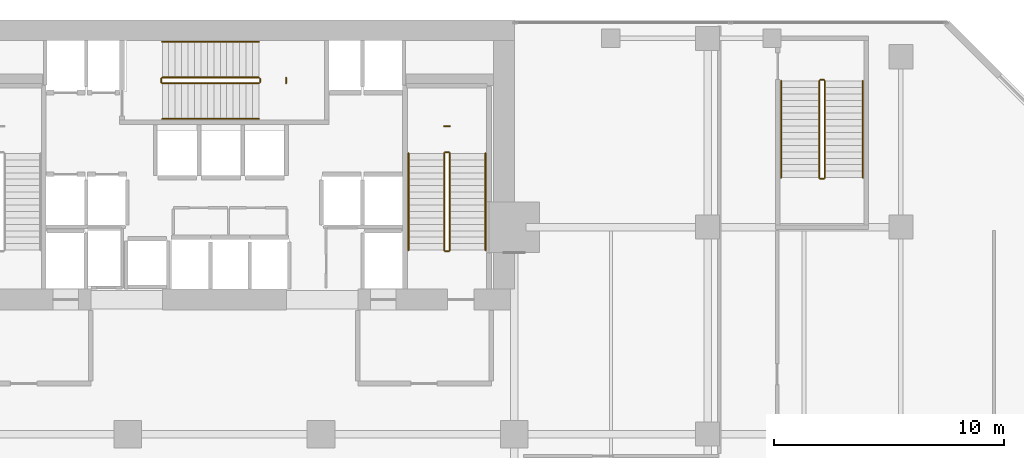
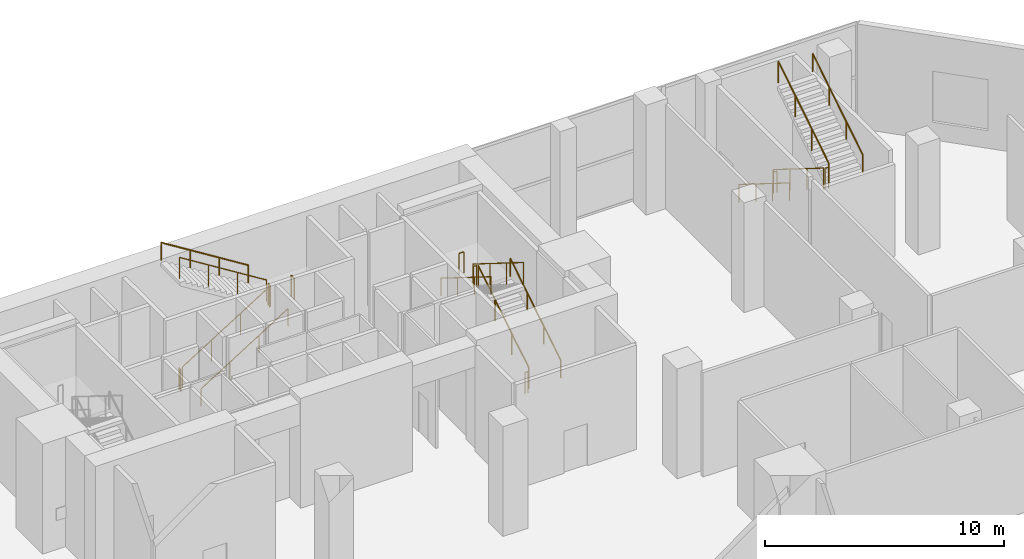
# One storey, part 40 of 40: 20 railings.
"""IFC4 building model written with IfcOpenShell, lengths in metres."""

from ifc_helpers import new_model, si_unit, direction, frame, origin, origin_2d, place, context, subcontext, project, spatial, circle, extrude, material, type_object, element, save


model = new_model("IFC4")

# Units and contexts
model_context = context("Model", 3, precision=1e-05, world=origin(), true_north=direction((0.0, 1.0)))
body_context = subcontext(model_context, "Body", "Model", "MODEL_VIEW")
ifc_project = project(units=[si_unit("LENGTHUNIT", "METRE"), si_unit("AREAUNIT", "SQUARE_METRE"), si_unit("VOLUMEUNIT", "CUBIC_METRE"), si_unit("PLANEANGLEUNIT", "RADIAN"), si_unit("MASSUNIT", "GRAM", prefix="KILO")], contexts=[model_context])

# Site, building, storey
site_placement = place(None, origin())
site = spatial("IfcSite", under=ifc_project, at=site_placement, CompositionType="ELEMENT")
building_placement = place(site_placement, origin())
building = spatial("IfcBuilding", under=site, at=building_placement, Name="Maruvema Waterfront Hotel and Observation Tower", CompositionType="ELEMENT")
storey_placement = place(building_placement, frame((0.0, 0.0, 10.85009765625)))
storey = spatial("IfcBuildingStorey", under=building, at=storey_placement, Name="L02", CompositionType="ELEMENT", Elevation=10.85009765625)

# Railings
ifc_material_1 = material(Name="Brushed stainless steel Grade 316", Category="steel")
railing_type_1 = type_object("IfcRailingType", Name="Ramp Continuous Wall Handrail 920 mm", PredefinedType="HANDRAIL", material=ifc_material_1)
railing_1_placement = place(storey_placement, frame((35.10009765625, 49.699951171875, 0.1748046875)))
element("IfcRailing", 1, at=railing_1_placement, inside=storey, type_object=railing_type_1, Name="L02 ST-02 stair handrail 1", PredefinedType="HANDRAIL", context=body_context, shape_type="SweptSolid", body=[
    extrude(circle(Radius=0.02392578125, at=origin_2d()), frame((0.0, 0.0, 0.89599609375), z_axis=(0.847995534698, 0.0, 0.530003370869), x_axis=(0.0, 1.0, 0.0)), (0.0, 0.0, 1.0), 4.952880859375),
    extrude(circle(Radius=0.02099609375, at=origin_2d()), origin(), (0.0, 0.0, 1.0), 0.871826171875),
    extrude(circle(Radius=0.02099609375, at=origin_2d()), frame((1.39990234375, 0.0, 0.875)), (0.0, 0.0, 1.0), 0.871826171875),
    extrude(circle(Radius=0.02099609375, at=origin_2d()), frame((2.800048828125, 0.0, 1.75)), (0.0, 0.0, 1.0), 0.871826171875),
    extrude(circle(Radius=0.02099609375, at=origin_2d()), frame((4.199951171875, 0.0, 2.625)), (0.0, 0.0, 1.0), 0.871826171875),
])
railing_2_placement = place(storey_placement, frame((39.300048828125, 53.050048828125, 2.974853515625)))
element("IfcRailing", 2, at=railing_2_placement, inside=storey, type_object=railing_type_1, Name="L02 ST-02 stair handrail 2", PredefinedType="HANDRAIL", context=body_context, shape_type="SweptSolid", body=[
    extrude(circle(Radius=0.02392578125, at=origin_2d()), frame((0.0, 0.0, 0.89599609375), z_axis=(-0.847995534698, 0.0, 0.530003370869), x_axis=(0.0, -1.0, 0.0)), (0.0, 0.0, 1.0), 4.952880859375),
    extrude(circle(Radius=0.02099609375, at=origin_2d()), origin(), (0.0, 0.0, 1.0), 0.871826171875),
    extrude(circle(Radius=0.02099609375, at=origin_2d()), frame((-1.39990234375, 0.0, 0.875)), (0.0, 0.0, 1.0), 0.871826171875),
    extrude(circle(Radius=0.02099609375, at=origin_2d()), frame((-2.800048828125, 0.0, 1.75)), (0.0, 0.0, 1.0), 0.871826171875),
    extrude(circle(Radius=0.02099609375, at=origin_2d()), frame((-4.199951171875, 0.0, 2.625)), (0.0, 0.0, 1.0), 0.871826171875),
])
railing_3_placement = place(storey_placement, frame((49.14990234375, 44.0, 0.1748046875)))
element("IfcRailing", 3, at=railing_3_placement, inside=storey, type_object=railing_type_1, Name="L02 ST-03 stair handrail 1", PredefinedType="HANDRAIL", context=body_context, shape_type="SweptSolid", body=[
    extrude(circle(Radius=0.02392578125, at=origin_2d()), frame((0.0, 0.0, 0.89599609375), z_axis=(0.0, 0.847995534698, 0.530003370869), x_axis=(-1.0, 0.0, 0.0)), (0.0, 0.0, 1.0), 4.952880859375),
    extrude(circle(Radius=0.02099609375, at=origin_2d()), origin(), (0.0, 0.0, 1.0), 0.871826171875),
    extrude(circle(Radius=0.02099609375, at=origin_2d()), frame((0.0, 1.39990234375, 0.875)), (0.0, 0.0, 1.0), 0.871826171875),
    extrude(circle(Radius=0.02099609375, at=origin_2d()), frame((0.0, 2.800048828125, 1.75)), (0.0, 0.0, 1.0), 0.871826171875),
    extrude(circle(Radius=0.02099609375, at=origin_2d()), frame((0.0, 4.199951171875, 2.625)), (0.0, 0.0, 1.0), 0.871826171875),
])
railing_4_placement = place(storey_placement, frame((45.800048828125, 48.199951171875, 2.974853515625)))
element("IfcRailing", 4, at=railing_4_placement, inside=storey, type_object=railing_type_1, Name="L02 ST-03 stair handrail 2", PredefinedType="HANDRAIL", context=body_context, shape_type="SweptSolid", body=[
    extrude(circle(Radius=0.02392578125, at=origin_2d()), frame((0.0, 0.0, 0.89599609375), z_axis=(0.0, -0.847995534698, 0.530003370869), x_axis=(1.0, 0.0, 0.0)), (0.0, 0.0, 1.0), 4.952880859375),
    extrude(circle(Radius=0.02099609375, at=origin_2d()), origin(), (0.0, 0.0, 1.0), 0.871826171875),
    extrude(circle(Radius=0.02099609375, at=origin_2d()), frame((0.0, -1.39990234375, 0.875)), (0.0, 0.0, 1.0), 0.871826171875),
    extrude(circle(Radius=0.02099609375, at=origin_2d()), frame((0.0, -2.800048828125, 1.75)), (0.0, 0.0, 1.0), 0.871826171875),
    extrude(circle(Radius=0.02099609375, at=origin_2d()), frame((0.0, -4.199951171875, 2.625)), (0.0, 0.0, 1.0), 0.871826171875),
])
railing_5_placement = place(storey_placement, frame((62.0, 51.35009765625, 0.1748046875)))
element("IfcRailing", 5, at=railing_5_placement, inside=storey, type_object=railing_type_1, Name="L02 ST-05 stair handrail 1", PredefinedType="HANDRAIL", context=body_context, shape_type="SweptSolid", body=[
    extrude(circle(Radius=0.02392578125, at=origin_2d()), frame((0.0, 0.0, 0.89599609375), z_axis=(0.0, -0.848009380541, 0.529981217134), x_axis=(1.0, 0.0, 0.0)), (0.0, 0.0, 1.0), 4.953125),
    extrude(circle(Radius=0.02099609375, at=origin_2d()), origin(), (0.0, 0.0, 1.0), 0.871826171875),
    extrude(circle(Radius=0.02099609375, at=origin_2d()), frame((0.0, -1.400146484375, 0.875)), (0.0, 0.0, 1.0), 0.871826171875),
    extrude(circle(Radius=0.02099609375, at=origin_2d()), frame((0.0, -2.800048828125, 1.75)), (0.0, 0.0, 1.0), 0.871826171875),
    extrude(circle(Radius=0.02099609375, at=origin_2d()), frame((0.0, -4.2001953125, 2.625)), (0.0, 0.0, 1.0), 0.871826171875),
])
railing_6_placement = place(storey_placement, frame((65.550048828125, 47.14990234375, 2.974853515625)))
element("IfcRailing", 6, at=railing_6_placement, inside=storey, type_object=railing_type_1, Name="L02 ST-05 stair handrail 2", PredefinedType="HANDRAIL", context=body_context, shape_type="SweptSolid", body=[
    extrude(circle(Radius=0.02392578125, at=origin_2d()), frame((0.0, 0.0, 0.89599609375), z_axis=(0.0, 0.848009380541, 0.529981217134), x_axis=(-1.0, 0.0, 0.0)), (0.0, 0.0, 1.0), 4.953125),
    extrude(circle(Radius=0.02099609375, at=origin_2d()), origin(), (0.0, 0.0, 1.0), 0.871826171875),
    extrude(circle(Radius=0.02099609375, at=origin_2d()), frame((0.0, 1.400146484375, 0.875)), (0.0, 0.0, 1.0), 0.871826171875),
    extrude(circle(Radius=0.02099609375, at=origin_2d()), frame((0.0, 2.800048828125, 1.75)), (0.0, 0.0, 1.0), 0.871826171875),
    extrude(circle(Radius=0.02099609375, at=origin_2d()), frame((0.0, 4.2001953125, 2.625)), (0.0, 0.0, 1.0), 0.871826171875),
])
ifc_material_2 = material(Name="Brushed stainless steel Grade 316", Category="steel")
railing_type_2 = type_object("IfcRailingType", Name="Ramp and Terrace Guard Balustrade 1100 mm", PredefinedType="BALUSTRADE", material=ifc_material_2)
railing_7_placement = place(storey_placement, frame((35.10009765625, 51.25, 0.1748046875)))
element("IfcRailing", 7, at=railing_7_placement, inside=storey, type_object=railing_type_2, Name="L02 ST-02 stair guard 1", PredefinedType="BALUSTRADE", context=body_context, shape_type="SweptSolid", body=[
    extrude(circle(Radius=0.02392578125, at=origin_2d()), frame((0.0, 0.0, 1.076171875), z_axis=(0.847995534698, 0.0, 0.530003370869), x_axis=(0.0, 1.0, 0.0)), (0.0, 0.0, 1.0), 4.952880859375),
    extrude(circle(Radius=0.02099609375, at=origin_2d()), origin(), (0.0, 0.0, 1.0), 1.052001953125),
    extrude(circle(Radius=0.02099609375, at=origin_2d()), frame((1.39990234375, 0.0, 0.875)), (0.0, 0.0, 1.0), 1.052001953125),
    extrude(circle(Radius=0.02099609375, at=origin_2d()), frame((2.800048828125, 0.0, 1.75)), (0.0, 0.0, 1.0), 1.052001953125),
    extrude(circle(Radius=0.02099609375, at=origin_2d()), frame((4.199951171875, 0.0, 2.625)), (0.0, 0.0, 1.0), 1.052001953125),
])
railing_8_placement = place(storey_placement, frame((39.35009765625, 51.300048828125, 2.7998046875)))
element("IfcRailing", 8, at=railing_8_placement, inside=storey, type_object=railing_type_2, Name="L02 ST-02 stair guard 2", PredefinedType="BALUSTRADE", context=body_context, shape_type="SweptSolid", body=[
    extrude(circle(Radius=0.02392578125, at=origin_2d()), frame((0.0, 0.0, 1.076171875), z_axis=(0.0, 1.0, 0.0), x_axis=(-1.0, 0.0, 0.0)), (0.0, 0.0, 1.0), 0.14990234375),
    extrude(circle(Radius=0.02099609375, at=origin_2d()), origin(), (0.0, 0.0, 1.0), 1.052001953125),
    extrude(circle(Radius=0.02099609375, at=origin_2d()), frame((0.0, 0.14990234375, 0.0)), (0.0, 0.0, 1.0), 1.052001953125),
])
railing_9_placement = place(storey_placement, frame((39.300048828125, 51.5, 2.974853515625)))
element("IfcRailing", 9, at=railing_9_placement, inside=storey, type_object=railing_type_2, Name="L02 ST-02 stair guard 3", PredefinedType="BALUSTRADE", context=body_context, shape_type="SweptSolid", body=[
    extrude(circle(Radius=0.02392578125, at=origin_2d()), frame((0.0, 0.0, 1.076171875), z_axis=(-0.847995534698, 0.0, 0.530003370869), x_axis=(0.0, -1.0, 0.0)), (0.0, 0.0, 1.0), 4.952880859375),
    extrude(circle(Radius=0.02099609375, at=origin_2d()), origin(), (0.0, 0.0, 1.0), 1.052001953125),
    extrude(circle(Radius=0.02099609375, at=origin_2d()), frame((-1.39990234375, 0.0, 0.875)), (0.0, 0.0, 1.0), 1.052001953125),
    extrude(circle(Radius=0.02099609375, at=origin_2d()), frame((-2.800048828125, 0.0, 1.75)), (0.0, 0.0, 1.0), 1.052001953125),
    extrude(circle(Radius=0.02099609375, at=origin_2d()), frame((-4.199951171875, 0.0, 2.625)), (0.0, 0.0, 1.0), 1.052001953125),
])
railing_10_placement = place(storey_placement, frame((35.050048828125, 51.300048828125, 0.0)))
element("IfcRailing", 10, at=railing_10_placement, inside=storey, type_object=railing_type_2, Name="L02 ST-02 stair guard 4", PredefinedType="BALUSTRADE", context=body_context, shape_type="SweptSolid", body=[
    extrude(circle(Radius=0.02392578125, at=origin_2d()), frame((0.0, 0.0, 1.076171875), z_axis=(0.0, 1.0, 0.0), x_axis=(-1.0, 0.0, 0.0)), (0.0, 0.0, 1.0), 0.14990234375),
    extrude(circle(Radius=0.02099609375, at=origin_2d()), origin(), (0.0, 0.0, 1.0), 1.052001953125),
    extrude(circle(Radius=0.02099609375, at=origin_2d()), frame((0.0, 0.14990234375, 0.0)), (0.0, 0.0, 1.0), 1.052001953125),
])
railing_11_placement = place(storey_placement, frame((40.47998046875, 51.260009765625, 2.7998046875)))
element("IfcRailing", 11, at=railing_11_placement, inside=storey, type_object=railing_type_2, Name="L02 ST-02 Half-Landing Slot Guard", PredefinedType="BALUSTRADE", context=body_context, shape_type="SweptSolid", body=[
    extrude(circle(Radius=0.02392578125, at=origin_2d()), frame((0.0, 0.0, 1.076171875), z_axis=(0.0, 1.0, 0.0), x_axis=(-1.0, 0.0, 0.0)), (0.0, 0.0, 1.0), 0.22998046875),
    extrude(circle(Radius=0.02099609375, at=origin_2d()), origin(), (0.0, 0.0, 1.0), 1.052001953125),
    extrude(circle(Radius=0.02099609375, at=origin_2d()), frame((0.0, 0.22998046875, 0.0)), (0.0, 0.0, 1.0), 1.052001953125),
])
railing_12_placement = place(storey_placement, frame((47.60009765625, 44.0, 0.1748046875)))
element("IfcRailing", 12, at=railing_12_placement, inside=storey, type_object=railing_type_2, Name="L02 ST-03 stair guard 1", PredefinedType="BALUSTRADE", context=body_context, shape_type="SweptSolid", body=[
    extrude(circle(Radius=0.02392578125, at=origin_2d()), frame((0.0, 0.0, 1.076171875), z_axis=(0.0, 0.847995534698, 0.530003370869), x_axis=(-1.0, 0.0, 0.0)), (0.0, 0.0, 1.0), 4.952880859375),
    extrude(circle(Radius=0.02099609375, at=origin_2d()), origin(), (0.0, 0.0, 1.0), 1.052001953125),
    extrude(circle(Radius=0.02099609375, at=origin_2d()), frame((0.0, 1.39990234375, 0.875)), (0.0, 0.0, 1.0), 1.052001953125),
    extrude(circle(Radius=0.02099609375, at=origin_2d()), frame((0.0, 2.800048828125, 1.75)), (0.0, 0.0, 1.0), 1.052001953125),
    extrude(circle(Radius=0.02099609375, at=origin_2d()), frame((0.0, 4.199951171875, 2.625)), (0.0, 0.0, 1.0), 1.052001953125),
])
railing_13_placement = place(storey_placement, frame((47.550048828125, 48.25, 2.7998046875)))
element("IfcRailing", 13, at=railing_13_placement, inside=storey, type_object=railing_type_2, Name="L02 ST-03 stair guard 2", PredefinedType="BALUSTRADE", context=body_context, shape_type="SweptSolid", body=[
    extrude(circle(Radius=0.02392578125, at=origin_2d()), frame((0.0, 0.0, 1.076171875), z_axis=(-1.0, 0.0, 0.0), x_axis=(0.0, -1.0, 0.0)), (0.0, 0.0, 1.0), 0.150146484375),
    extrude(circle(Radius=0.02099609375, at=origin_2d()), origin(), (0.0, 0.0, 1.0), 1.052001953125),
    extrude(circle(Radius=0.02099609375, at=origin_2d()), frame((-0.150146484375, 0.0, 0.0)), (0.0, 0.0, 1.0), 1.052001953125),
])
railing_14_placement = place(storey_placement, frame((47.35009765625, 48.199951171875, 2.974853515625)))
element("IfcRailing", 14, at=railing_14_placement, inside=storey, type_object=railing_type_2, Name="L02 ST-03 stair guard 3", PredefinedType="BALUSTRADE", context=body_context, shape_type="SweptSolid", body=[
    extrude(circle(Radius=0.02392578125, at=origin_2d()), frame((0.0, 0.0, 1.076171875), z_axis=(0.0, -0.847995534698, 0.530003370869), x_axis=(1.0, 0.0, 0.0)), (0.0, 0.0, 1.0), 4.952880859375),
    extrude(circle(Radius=0.02099609375, at=origin_2d()), origin(), (0.0, 0.0, 1.0), 1.052001953125),
    extrude(circle(Radius=0.02099609375, at=origin_2d()), frame((0.0, -1.39990234375, 0.875)), (0.0, 0.0, 1.0), 1.052001953125),
    extrude(circle(Radius=0.02099609375, at=origin_2d()), frame((0.0, -2.800048828125, 1.75)), (0.0, 0.0, 1.0), 1.052001953125),
    extrude(circle(Radius=0.02099609375, at=origin_2d()), frame((0.0, -4.199951171875, 2.625)), (0.0, 0.0, 1.0), 1.052001953125),
])
railing_15_placement = place(storey_placement, frame((47.550048828125, 43.949951171875, 0.0)))
element("IfcRailing", 15, at=railing_15_placement, inside=storey, type_object=railing_type_2, Name="L02 ST-03 stair guard 4", PredefinedType="BALUSTRADE", context=body_context, shape_type="SweptSolid", body=[
    extrude(circle(Radius=0.02392578125, at=origin_2d()), frame((0.0, 0.0, 1.076171875), z_axis=(-1.0, 0.0, 0.0), x_axis=(0.0, -1.0, 0.0)), (0.0, 0.0, 1.0), 0.150146484375),
    extrude(circle(Radius=0.02099609375, at=origin_2d()), origin(), (0.0, 0.0, 1.0), 1.052001953125),
    extrude(circle(Radius=0.02099609375, at=origin_2d()), frame((-0.150146484375, 0.0, 0.0)), (0.0, 0.0, 1.0), 1.052001953125),
])
railing_16_placement = place(storey_placement, frame((47.590087890625, 49.3798828125, 2.7998046875)))
element("IfcRailing", 16, at=railing_16_placement, inside=storey, type_object=railing_type_2, Name="L02 ST-03 Half-Landing Slot Guard", PredefinedType="BALUSTRADE", context=body_context, shape_type="SweptSolid", body=[
    extrude(circle(Radius=0.02392578125, at=origin_2d()), frame((0.0, 0.0, 1.076171875), z_axis=(-1.0, 0.0, 0.0), x_axis=(0.0, -1.0, 0.0)), (0.0, 0.0, 1.0), 0.22998046875),
    extrude(circle(Radius=0.02099609375, at=origin_2d()), origin(), (0.0, 0.0, 1.0), 1.052001953125),
    extrude(circle(Radius=0.02099609375, at=origin_2d()), frame((-0.22998046875, 0.0, 0.0)), (0.0, 0.0, 1.0), 1.052001953125),
])
railing_17_placement = place(storey_placement, frame((63.64990234375, 51.35009765625, 0.1748046875)))
element("IfcRailing", 17, at=railing_17_placement, inside=storey, type_object=railing_type_2, Name="L02 ST-05 stair guard 1", PredefinedType="BALUSTRADE", context=body_context, shape_type="SweptSolid", body=[
    extrude(circle(Radius=0.02392578125, at=origin_2d()), frame((0.0, 0.0, 1.076171875), z_axis=(0.0, -0.848009380541, 0.529981217134), x_axis=(1.0, 0.0, 0.0)), (0.0, 0.0, 1.0), 4.953125),
    extrude(circle(Radius=0.02099609375, at=origin_2d()), origin(), (0.0, 0.0, 1.0), 1.052001953125),
    extrude(circle(Radius=0.02099609375, at=origin_2d()), frame((0.0, -1.400146484375, 0.875)), (0.0, 0.0, 1.0), 1.052001953125),
    extrude(circle(Radius=0.02099609375, at=origin_2d()), frame((0.0, -2.800048828125, 1.75)), (0.0, 0.0, 1.0), 1.052001953125),
    extrude(circle(Radius=0.02099609375, at=origin_2d()), frame((0.0, -4.2001953125, 2.625)), (0.0, 0.0, 1.0), 1.052001953125),
])
railing_18_placement = place(storey_placement, frame((63.699951171875, 47.10009765625, 2.7998046875)))
element("IfcRailing", 18, at=railing_18_placement, inside=storey, type_object=railing_type_2, Name="L02 ST-05 stair guard 2", PredefinedType="BALUSTRADE", context=body_context, shape_type="SweptSolid", body=[
    extrude(circle(Radius=0.02392578125, at=origin_2d()), frame((0.0, 0.0, 1.076171875), z_axis=(1.0, 0.0, 0.0), x_axis=(0.0, 1.0, 0.0)), (0.0, 0.0, 1.0), 0.150146484375),
    extrude(circle(Radius=0.02099609375, at=origin_2d()), origin(), (0.0, 0.0, 1.0), 1.052001953125),
    extrude(circle(Radius=0.02099609375, at=origin_2d()), frame((0.150146484375, 0.0, 0.0)), (0.0, 0.0, 1.0), 1.052001953125),
])
railing_19_placement = place(storey_placement, frame((63.89990234375, 47.14990234375, 2.974853515625)))
element("IfcRailing", 19, at=railing_19_placement, inside=storey, type_object=railing_type_2, Name="L02 ST-05 stair guard 3", PredefinedType="BALUSTRADE", context=body_context, shape_type="SweptSolid", body=[
    extrude(circle(Radius=0.02392578125, at=origin_2d()), frame((0.0, 0.0, 1.076171875), z_axis=(0.0, 0.848009380541, 0.529981217134), x_axis=(-1.0, 0.0, 0.0)), (0.0, 0.0, 1.0), 4.953125),
    extrude(circle(Radius=0.02099609375, at=origin_2d()), origin(), (0.0, 0.0, 1.0), 1.052001953125),
    extrude(circle(Radius=0.02099609375, at=origin_2d()), frame((0.0, 1.400146484375, 0.875)), (0.0, 0.0, 1.0), 1.052001953125),
    extrude(circle(Radius=0.02099609375, at=origin_2d()), frame((0.0, 2.800048828125, 1.75)), (0.0, 0.0, 1.0), 1.052001953125),
    extrude(circle(Radius=0.02099609375, at=origin_2d()), frame((0.0, 4.2001953125, 2.625)), (0.0, 0.0, 1.0), 1.052001953125),
])
railing_20_placement = place(storey_placement, frame((63.699951171875, 51.39990234375, 0.0)))
element("IfcRailing", 20, at=railing_20_placement, inside=storey, type_object=railing_type_2, Name="L02 ST-05 stair guard 4", PredefinedType="BALUSTRADE", context=body_context, shape_type="SweptSolid", body=[
    extrude(circle(Radius=0.02392578125, at=origin_2d()), frame((0.0, 0.0, 1.076171875), z_axis=(1.0, 0.0, 0.0), x_axis=(0.0, 1.0, 0.0)), (0.0, 0.0, 1.0), 0.150146484375),
    extrude(circle(Radius=0.02099609375, at=origin_2d()), origin(), (0.0, 0.0, 1.0), 1.052001953125),
    extrude(circle(Radius=0.02099609375, at=origin_2d()), frame((0.150146484375, 0.0, 0.0)), (0.0, 0.0, 1.0), 1.052001953125),
])

save(model, "model.ifc")
